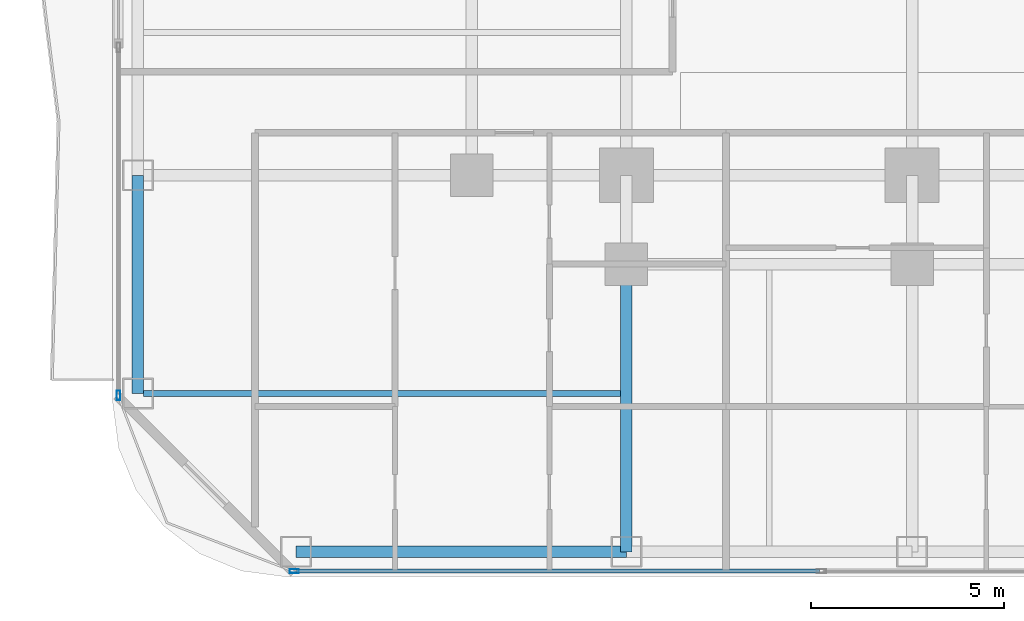
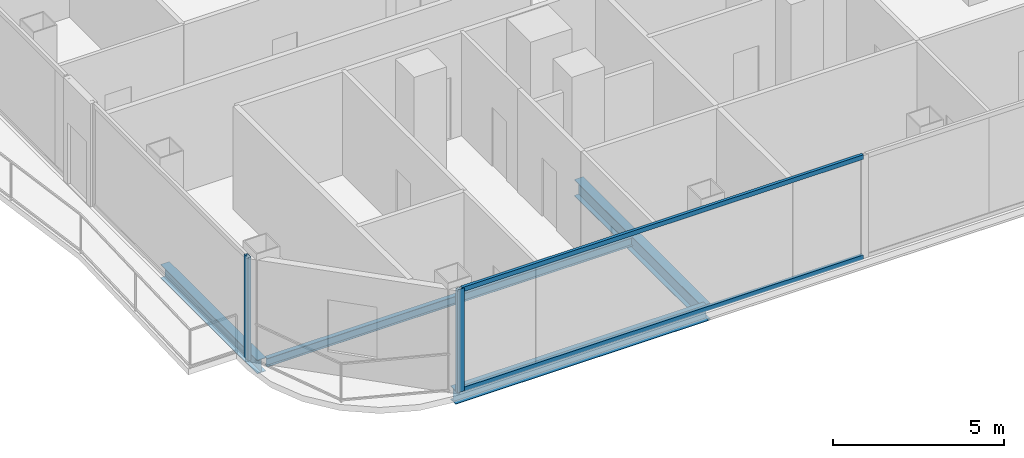
# One storey, part 2 of 29: 4 beams, 4 members, 2 elements without a shape of their own.
"""IFC4 building model written with IfcOpenShell, lengths in metres."""

from ifc_helpers import new_model, si_unit, direction, frame, origin, origin_2d, place, context, subcontext, project, spatial, hollow_rectangle, i_section, extrude, material, layer, layer_set, material_profile, profile_set, type_object, element, aggregate, save


model = new_model("IFC4")

# Units and contexts
model_context = context("Model", 3, precision=1e-05, world=origin(), true_north=direction((0.0, 1.0)))
body_context = subcontext(model_context, "Body", "Model", "MODEL_VIEW")
ifc_project = project(units=[si_unit("LENGTHUNIT", "METRE"), si_unit("AREAUNIT", "SQUARE_METRE"), si_unit("VOLUMEUNIT", "CUBIC_METRE"), si_unit("PLANEANGLEUNIT", "RADIAN"), si_unit("MASSUNIT", "GRAM", prefix="KILO")], contexts=[model_context])

# Site, building, storey
site_placement = place(None, origin())
site = spatial("IfcSite", under=ifc_project, at=site_placement, CompositionType="ELEMENT")
building_placement = place(site_placement, origin())
building = spatial("IfcBuilding", under=site, at=building_placement, Name="Khorvyn Point Tower", CompositionType="ELEMENT")
storey_placement = place(building_placement, frame((0.0, 0.0, 61.800048828125)))
storey = spatial("IfcBuildingStorey", under=building, at=storey_placement, Name="L16", CompositionType="ELEMENT", Elevation=61.800048828125)

# Curtain wall, member
ifc_material_1 = material(Name="Anodised aluminium 6063-T6 and laminated Low-E glass", Category="aluminium")
ifc_layer = layer(ifc_material_1, 0.18994140625)
ifc_layer_set = layer_set([ifc_layer], Name="Stick-Built Finned Residential Curtain Wall CW-SYS-02")
curtain_wall_type = type_object("IfcCurtainWallType", Name="Stick-Built Finned Residential Curtain Wall CW-SYS-02", PredefinedType="NOTDEFINED", material=ifc_layer_set)
curtain_wall_1_placement = place(storey_placement, origin())
curtain_wall_1 = element("IfcCurtainWall", 1, at=curtain_wall_1_placement, inside=storey, type_object=curtain_wall_type, Name="Curtain Wall", PredefinedType="NOTDEFINED")
ifc_material_2 = material(Name="Anodised aluminium 6063-T6", Category="aluminium")
ifc_material_profile_1 = material_profile(ifc_material_2, hollow_rectangle(XDim=0.10009765625, YDim=0.239990234375, WallThickness=0.0048828125, at=origin_2d()))
ifc_profile_set_1 = profile_set([ifc_material_profile_1], Name="Anodised aluminium 6063-T6 ALU-MUL-100x240")
member_type_1 = type_object("IfcMemberType", Name="Anodised Aluminium 6063-T6 Mullion ALU-MUL-100x240", PredefinedType="MULLION", material=ifc_profile_set_1)
member_1_placement = place(storey_placement, frame((-23.39990234375, -25.050048828125, 0.0), z_axis=(0.0, 0.0, 1.0), x_axis=(0.0, -1.0, 0.0)))
member_1 = element("IfcMember", 2, at=member_1_placement, type_object=member_type_1, Name="Transom", PredefinedType="MULLION", context=body_context, shape_type="SweptSolid", body=[
    extrude(hollow_rectangle(XDim=0.10009765625, YDim=0.239990234375, WallThickness=0.0048828125, at=origin_2d()), origin(), (0.0, 0.0, 1.0), 3.679931640625),
])

curtain_wall_2_placement = place(storey_placement, origin())
curtain_wall_2 = element("IfcCurtainWall", 3, at=curtain_wall_2_placement, inside=storey, type_object=curtain_wall_type, Name="Curtain Wall", PredefinedType="NOTDEFINED")
member_2_placement = place(storey_placement, frame((-27.949951171875, -20.5, 0.0), z_axis=(0.0, 0.0, 1.0), x_axis=(-1.0, 0.0, 0.0)))
member_2 = element("IfcMember", 4, at=member_2_placement, type_object=member_type_1, Name="Transom", PredefinedType="MULLION", context=body_context, shape_type="SweptSolid", body=[
    extrude(hollow_rectangle(XDim=0.10009765625, YDim=0.239990234375, WallThickness=0.0048828125, at=origin_2d()), origin(), (0.0, 0.0, 1.0), 3.679931640625),
])
aggregate(curtain_wall_2, [member_2])

# Member
ifc_material_profile_2 = material_profile(ifc_material_2, hollow_rectangle(XDim=0.10009765625, YDim=0.159912109375, WallThickness=0.00439453125, at=origin_2d()))
ifc_profile_set_2 = profile_set([ifc_material_profile_2], Name="Anodised aluminium 6063-T6 ALU-TRN-100x160")
member_type_2 = type_object("IfcMemberType", Name="Anodised Aluminium 6063-T6 Transom ALU-TRN-100x160", PredefinedType="USERDEFINED", material=ifc_profile_set_2)
member_3_placement = place(storey_placement, frame((-9.800048828125, -25.050048828125, 0.050048828125), z_axis=(-1.0, 0.0, 0.0), x_axis=(0.0, -1.0, 0.0)))
member_3 = element("IfcMember", 5, at=member_3_placement, type_object=member_type_2, Name="Transom", ObjectType="TRANSOM", PredefinedType="USERDEFINED", context=body_context, shape_type="SweptSolid", body=[
    extrude(hollow_rectangle(XDim=0.10009765625, YDim=0.159912109375, WallThickness=0.00439453125, at=origin_2d()), origin(), (0.0, 0.0, 1.0), 13.550048828125),
])

member_4_placement = place(storey_placement, frame((-9.800048828125, -25.050048828125, 3.6298828125), z_axis=(-1.0, 0.0, 0.0), x_axis=(0.0, -1.0, 0.0)))
member_4 = element("IfcMember", 6, at=member_4_placement, type_object=member_type_2, Name="Transom", ObjectType="TRANSOM", PredefinedType="USERDEFINED", context=body_context, shape_type="SweptSolid", body=[
    extrude(hollow_rectangle(XDim=0.10009765625, YDim=0.159912109375, WallThickness=0.00439453125, at=origin_2d()), origin(), (0.0, 0.0, 1.0), 13.550048828125),
])

aggregate(curtain_wall_1, [member_1, member_3, member_4])

# Beams
ifc_material_3 = material(Name="Steel S355", Category="steel")
ifc_material_profile_3 = material_profile(ifc_material_3, i_section(OverallWidth=0.300048828125, OverallDepth=0.587890625, WebThickness=0.011962890625, FlangeThickness=0.02001953125, at=origin_2d()))
ifc_profile_set_3 = profile_set([ifc_material_profile_3], Name="Steel S355 H588x300x12x20")
beam_type_1 = type_object("IfcBeamType", Name="Steel S355 Beam H588x300x12x20", PredefinedType="BEAM", material=ifc_profile_set_3)
beam_1_placement = place(storey_placement, frame((-14.800048828125, -24.550048828125, -0.51416015625), z_axis=(0.0, 1.0, 0.0), x_axis=(-1.0, 0.0, 0.0)))
element("IfcBeam", 7, at=beam_1_placement, inside=storey, type_object=beam_type_1, Name="Beam", PredefinedType="BEAM", context=body_context, shape_type="SweptSolid", body=[
    extrude(i_section(OverallWidth=0.300048828125, OverallDepth=0.587890625, WebThickness=0.011962890625, FlangeThickness=0.02001953125, at=origin_2d()), origin(), (0.0, 0.0, 1.0), 7.449951171875),
])
ifc_material_profile_4 = material_profile(ifc_material_3, i_section(OverallWidth=0.14990234375, OverallDepth=0.300048828125, WebThickness=0.006591796875, FlangeThickness=0.009033203125, at=origin_2d()))
ifc_profile_set_4 = profile_set([ifc_material_profile_4], Name="Steel S355 H300x150x6.5x9")
beam_type_2 = type_object("IfcBeamType", Name="Steel S355 Joist H300x150x6.5x9", PredefinedType="JOIST", material=ifc_profile_set_4)
beam_2_placement = place(storey_placement, frame((-27.300048828125, -20.449951171875, -0.3701171875), z_axis=(1.0, 0.0, 0.0), x_axis=(0.0, 1.0, 0.0)))
element("IfcBeam", 8, at=beam_2_placement, inside=storey, type_object=beam_type_2, Name="Beam", PredefinedType="JOIST", context=body_context, shape_type="SweptSolid", body=[
    extrude(i_section(OverallWidth=0.14990234375, OverallDepth=0.300048828125, WebThickness=0.006591796875, FlangeThickness=0.009033203125, at=origin_2d()), origin(), (0.0, 0.0, 1.0), 12.35009765625),
])
ifc_material_profile_5 = material_profile(ifc_material_3, i_section(OverallWidth=0.300048828125, OverallDepth=0.488037109375, WebThickness=0.010986328125, FlangeThickness=0.01806640625, at=origin_2d()))
ifc_profile_set_5 = profile_set([ifc_material_profile_5], Name="Steel S355 H488x300x11x18")
beam_type_3 = type_object("IfcBeamType", Name="Steel S355 Spandrel H488x300x11x18", PredefinedType="SPANDREL", material=ifc_profile_set_5)
beam_3_placement = place(storey_placement, frame((-23.35009765625, -24.550048828125, -0.464111328125), z_axis=(1.0, 0.0, 0.0), x_axis=(0.0, 1.0, 0.0)))
element("IfcBeam", 9, at=beam_3_placement, inside=storey, type_object=beam_type_3, Name="Beam", PredefinedType="SPANDREL", context=body_context, shape_type="SweptSolid", body=[
    extrude(i_section(OverallWidth=0.300048828125, OverallDepth=0.488037109375, WebThickness=0.010986328125, FlangeThickness=0.01806640625, at=origin_2d()), origin(), (0.0, 0.0, 1.0), 8.550048828125),
])
beam_4_placement = place(storey_placement, frame((-27.449951171875, -20.449951171875, -0.464111328125), z_axis=(0.0, 1.0, 0.0), x_axis=(-1.0, 0.0, 0.0)))
element("IfcBeam", 10, at=beam_4_placement, inside=storey, type_object=beam_type_3, Name="Beam", PredefinedType="SPANDREL", context=body_context, shape_type="SweptSolid", body=[
    extrude(i_section(OverallWidth=0.300048828125, OverallDepth=0.488037109375, WebThickness=0.010986328125, FlangeThickness=0.01806640625, at=origin_2d()), origin(), (0.0, 0.0, 1.0), 5.64990234375),
])

save(model, "model.ifc")
